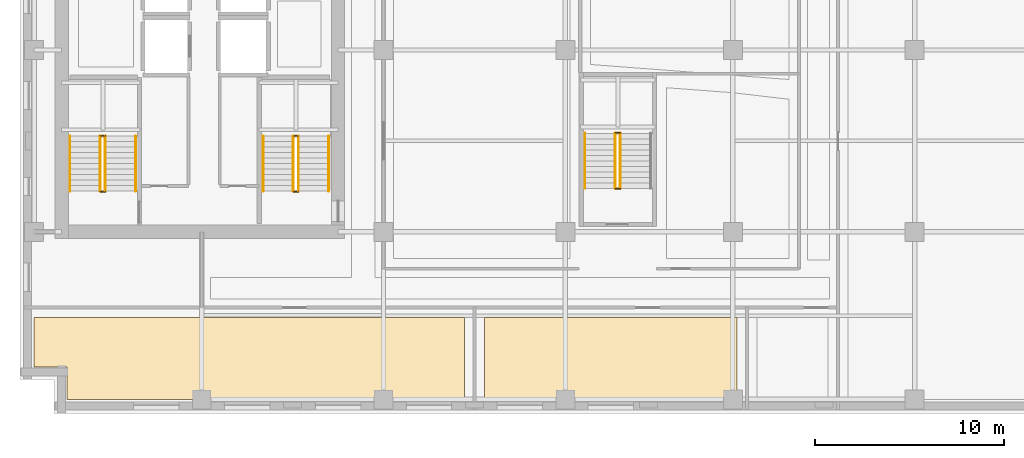
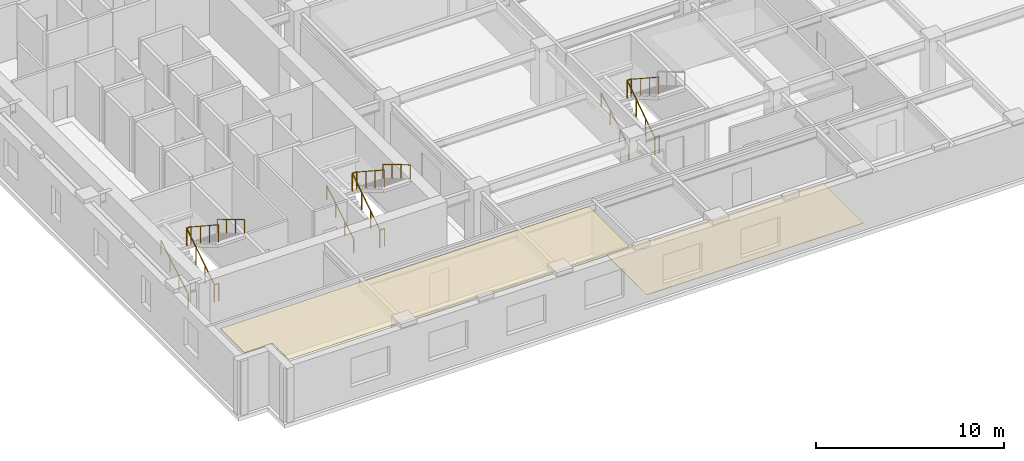
# One storey, part 9 of 13: 17 railings, 2 coverings.
"""IFC4 building model written with IfcOpenShell, lengths in metres."""

from ifc_helpers import new_model, si_unit, direction, frame, origin, origin_2d, place, context, subcontext, project, spatial, polyline, circle, outline, extrude, material, layer, layer_set, type_object, element, save


model = new_model("IFC4")

# Units and contexts
model_context = context("Model", 3, precision=1e-05, world=origin(), true_north=direction((0.0, 1.0)))
body_context = subcontext(model_context, "Body", "Model", "MODEL_VIEW")
ifc_project = project(units=[si_unit("LENGTHUNIT", "METRE"), si_unit("AREAUNIT", "SQUARE_METRE"), si_unit("VOLUMEUNIT", "CUBIC_METRE"), si_unit("PLANEANGLEUNIT", "RADIAN"), si_unit("MASSUNIT", "GRAM", prefix="KILO")], contexts=[model_context])

# Site, building, storey
site_placement = place(None, origin())
site = spatial("IfcSite", under=ifc_project, at=site_placement, CompositionType="ELEMENT")
building_placement = place(site_placement, origin())
building = spatial("IfcBuilding", under=site, at=building_placement, Name="Norrvale University Quadrangle", CompositionType="ELEMENT")
storey_placement = place(building_placement, frame((0.0, 0.0, 131.800048828125)))
storey = spatial("IfcBuildingStorey", under=building, at=storey_placement, Name="L33", CompositionType="ELEMENT", Elevation=131.800048828125)

# Coverings
ifc_material_1 = material(Name="Perforated Acoustic Mineral Ceiling")
ifc_layer_1 = layer(ifc_material_1, 0.02490234375, Name="Perforated Acoustic Mineral Ceiling")
ifc_layer_set_1 = layer_set([ifc_layer_1], Name="Perforated Acoustic Mineral Ceiling")
covering_type_1 = type_object("IfcCoveringType", Name="Covering Acoustic Ceiling 25", PredefinedType="CEILING", material=ifc_layer_set_1)
covering_1_placement = place(storey_placement, frame((0.0, 0.0, 3.514892578125)))
element("IfcCovering", 1, at=covering_1_placement, inside=storey, type_object=covering_type_1, Name="Acoustic Ceiling RM-L33-S01", PredefinedType="CEILING", context=body_context, shape_type="SweptSolid", body=[
    extrude(outline(polyline([(0.75, 5.070068359375), (23.469970703125, 5.070068359375), (23.469970703125, 0.75), (2.469970703125, 0.75), (2.469970703125, 2.469970703125), (0.75, 2.469970703125), (0.75, 5.070068359375)])), origin(), (0.0, 0.0, 1.0), 0.025146484375),
])
ifc_material_2 = material(Name="Polished Terrazzo Flooring")
ifc_layer_2 = layer(ifc_material_2, 0.02490234375, Name="Polished Terrazzo Flooring")
ifc_layer_set_2 = layer_set([ifc_layer_2], Name="Polished Terrazzo Flooring")
covering_type_2 = type_object("IfcCoveringType", Name="Covering Terrazzo Floor 30", PredefinedType="FLOORING", material=ifc_layer_set_2)
covering_2_placement = place(storey_placement, origin())
element("IfcCovering", 2, at=covering_2_placement, inside=storey, type_object=covering_type_2, Name="Terrazzo Flooring RM-L33-S02", PredefinedType="FLOORING", context=body_context, shape_type="SweptSolid", body=[
    extrude(outline(polyline([(24.530029296875, 5.070068359375), (37.8701171875, 5.070068359375), (37.8701171875, 0.75), (24.530029296875, 0.75), (24.530029296875, 5.070068359375)])), origin(), (0.0, 0.0, 1.0), 0.02490234375),
])

# Railings
ifc_material_3 = material(Name="Steel 350W Painted Balustrade", Category="steel")
railing_type_1 = type_object("IfcRailingType", Name="Railing Stair Guard 1100", PredefinedType="GUARDRAIL", material=ifc_material_3)
for number, where, name in (
    (3, (4.239990234375, 11.719970703125, 0.0), "Stair Floor Well Guard ST-01 L33"),
    (4, (4.239990234375, 14.679931640625, 1.89990234375), "Stair Mid-Landing Slot Guard ST-01 L33"),
):
    element("IfcRailing", number, at=place(storey_placement, frame(where)), inside=storey, type_object=railing_type_1, Name=name, PredefinedType="GUARDRAIL", context=body_context, shape_type="SweptSolid", body=[
        extrude(circle(Radius=0.02392578125, at=origin_2d()), frame((0.0, 0.0, 1.1259765625), z_axis=(1.0, 0.0, 0.0), x_axis=(0.0, 1.0, 0.0)), (0.0, 0.0, 1.0), 0.27001953125),
        extrude(circle(Radius=0.02099609375, at=origin_2d()), origin(), (0.0, 0.0, 1.0), 1.101806640625),
        extrude(circle(Radius=0.02099609375, at=origin_2d()), frame((0.27001953125, 0.0, 0.0)), (0.0, 0.0, 1.0), 1.101806640625),
    ])
railing_1_placement = place(storey_placement, frame((4.239990234375, 11.75, 0.0)))
element("IfcRailing", 5, at=railing_1_placement, inside=storey, type_object=railing_type_1, Name="Stair Lower Flight Inner Guard ST-01 L33", PredefinedType="GUARDRAIL", context=body_context, shape_type="SweptSolid", body=[
    extrude(circle(Radius=0.02392578125, at=origin_2d()), frame((0.0, 0.0, 1.1259765625), z_axis=(0.0, 0.836465582154, 0.548019461216), x_axis=(-1.0, 0.0, 0.0)), (0.0, 0.0, 1.0), 3.466796875),
    extrude(circle(Radius=0.02099609375, at=origin_2d()), origin(), (0.0, 0.0, 1.0), 1.101806640625),
    extrude(circle(Radius=0.02099609375, at=origin_2d()), frame((0.0, 0.966552734375, 0.63330078125)), (0.0, 0.0, 1.0), 1.101806640625),
    extrude(circle(Radius=0.02099609375, at=origin_2d()), frame((0.0, 1.933349609375, 1.2666015625)), (0.0, 0.0, 1.0), 1.101806640625),
    extrude(circle(Radius=0.02099609375, at=origin_2d()), frame((0.0, 2.89990234375, 1.89990234375)), (0.0, 0.0, 1.0), 1.101806640625),
])
railing_2_placement = place(storey_placement, frame((4.510009765625, 14.64990234375, 1.89990234375)))
element("IfcRailing", 6, at=railing_2_placement, inside=storey, type_object=railing_type_1, Name="Stair Upper Flight Inner Guard ST-01 L33", PredefinedType="GUARDRAIL", context=body_context, shape_type="SweptSolid", body=[
    extrude(circle(Radius=0.02392578125, at=origin_2d()), frame((0.0, 0.0, 1.1259765625), z_axis=(0.0, -0.836433300813, 0.548068730445), x_axis=(1.0, 0.0, 0.0)), (0.0, 0.0, 1.0), 3.467041015625),
    extrude(circle(Radius=0.02099609375, at=origin_2d()), origin(), (0.0, 0.0, 1.0), 1.101806640625),
    extrude(circle(Radius=0.02099609375, at=origin_2d()), frame((0.0, -0.966552734375, 0.63330078125)), (0.0, 0.0, 1.0), 1.101806640625),
    extrude(circle(Radius=0.02099609375, at=origin_2d()), frame((0.0, -1.933349609375, 1.266845703125)), (0.0, 0.0, 1.0), 1.101806640625),
    extrude(circle(Radius=0.02099609375, at=origin_2d()), frame((0.0, -2.89990234375, 1.900146484375)), (0.0, 0.0, 1.0), 1.101806640625),
])
for number, where, name in (
    (7, (14.43994140625, 11.719970703125, 0.0), "Stair Floor Well Guard ST-03 L33"),
    (8, (14.43994140625, 14.679931640625, 1.89990234375), "Stair Mid-Landing Slot Guard ST-03 L33"),
):
    element("IfcRailing", number, at=place(storey_placement, frame(where)), inside=storey, type_object=railing_type_1, Name=name, PredefinedType="GUARDRAIL", context=body_context, shape_type="SweptSolid", body=[
        extrude(circle(Radius=0.02392578125, at=origin_2d()), frame((0.0, 0.0, 1.1259765625), z_axis=(1.0, 0.0, 0.0), x_axis=(0.0, 1.0, 0.0)), (0.0, 0.0, 1.0), 0.27001953125),
        extrude(circle(Radius=0.02099609375, at=origin_2d()), origin(), (0.0, 0.0, 1.0), 1.101806640625),
        extrude(circle(Radius=0.02099609375, at=origin_2d()), frame((0.27001953125, 0.0, 0.0)), (0.0, 0.0, 1.0), 1.101806640625),
    ])
railing_3_placement = place(storey_placement, frame((14.43994140625, 11.75, 0.0)))
element("IfcRailing", 9, at=railing_3_placement, inside=storey, type_object=railing_type_1, Name="Stair Lower Flight Inner Guard ST-03 L33", PredefinedType="GUARDRAIL", context=body_context, shape_type="SweptSolid", body=[
    extrude(circle(Radius=0.02392578125, at=origin_2d()), frame((0.0, 0.0, 1.1259765625), z_axis=(0.0, 0.836465582154, 0.548019461216), x_axis=(-1.0, 0.0, 0.0)), (0.0, 0.0, 1.0), 3.466796875),
    extrude(circle(Radius=0.02099609375, at=origin_2d()), origin(), (0.0, 0.0, 1.0), 1.101806640625),
    extrude(circle(Radius=0.02099609375, at=origin_2d()), frame((0.0, 0.966552734375, 0.63330078125)), (0.0, 0.0, 1.0), 1.101806640625),
    extrude(circle(Radius=0.02099609375, at=origin_2d()), frame((0.0, 1.933349609375, 1.2666015625)), (0.0, 0.0, 1.0), 1.101806640625),
    extrude(circle(Radius=0.02099609375, at=origin_2d()), frame((0.0, 2.89990234375, 1.89990234375)), (0.0, 0.0, 1.0), 1.101806640625),
])
railing_4_placement = place(storey_placement, frame((14.7099609375, 14.64990234375, 1.89990234375)))
element("IfcRailing", 10, at=railing_4_placement, inside=storey, type_object=railing_type_1, Name="Stair Upper Flight Inner Guard ST-03 L33", PredefinedType="GUARDRAIL", context=body_context, shape_type="SweptSolid", body=[
    extrude(circle(Radius=0.02392578125, at=origin_2d()), frame((0.0, 0.0, 1.1259765625), z_axis=(0.0, -0.836433300813, 0.548068730445), x_axis=(1.0, 0.0, 0.0)), (0.0, 0.0, 1.0), 3.467041015625),
    extrude(circle(Radius=0.02099609375, at=origin_2d()), origin(), (0.0, 0.0, 1.0), 1.101806640625),
    extrude(circle(Radius=0.02099609375, at=origin_2d()), frame((0.0, -0.966552734375, 0.63330078125)), (0.0, 0.0, 1.0), 1.101806640625),
    extrude(circle(Radius=0.02099609375, at=origin_2d()), frame((0.0, -1.933349609375, 1.266845703125)), (0.0, 0.0, 1.0), 1.101806640625),
    extrude(circle(Radius=0.02099609375, at=origin_2d()), frame((0.0, -2.89990234375, 1.900146484375)), (0.0, 0.0, 1.0), 1.101806640625),
])
for number, where, name in (
    (11, (31.43994140625, 11.8701171875, 0.0), "Stair Floor Well Guard ST-04 L33"),
    (12, (31.43994140625, 14.830078125, 1.89990234375), "Stair Mid-Landing Slot Guard ST-04 L33"),
):
    element("IfcRailing", number, at=place(storey_placement, frame(where)), inside=storey, type_object=railing_type_1, Name=name, PredefinedType="GUARDRAIL", context=body_context, shape_type="SweptSolid", body=[
        extrude(circle(Radius=0.02392578125, at=origin_2d()), frame((0.0, 0.0, 1.1259765625), z_axis=(1.0, 0.0, 0.0), x_axis=(0.0, 1.0, 0.0)), (0.0, 0.0, 1.0), 0.27001953125),
        extrude(circle(Radius=0.02099609375, at=origin_2d()), origin(), (0.0, 0.0, 1.0), 1.101806640625),
        extrude(circle(Radius=0.02099609375, at=origin_2d()), frame((0.27001953125, 0.0, 0.0)), (0.0, 0.0, 1.0), 1.101806640625),
    ])
railing_5_placement = place(storey_placement, frame((31.43994140625, 11.89990234375, 0.0)))
element("IfcRailing", 13, at=railing_5_placement, inside=storey, type_object=railing_type_1, Name="Stair Lower Flight Inner Guard ST-04 L33", PredefinedType="GUARDRAIL", context=body_context, shape_type="SweptSolid", body=[
    extrude(circle(Radius=0.02392578125, at=origin_2d()), frame((0.0, 0.0, 1.1259765625), z_axis=(0.0, 0.836486729621, 0.547987181573), x_axis=(-1.0, 0.0, 0.0)), (0.0, 0.0, 1.0), 3.467041015625),
    extrude(circle(Radius=0.02099609375, at=origin_2d()), origin(), (0.0, 0.0, 1.0), 1.101806640625),
    extrude(circle(Radius=0.02099609375, at=origin_2d()), frame((0.0, 0.966796875, 0.63330078125)), (0.0, 0.0, 1.0), 1.101806640625),
    extrude(circle(Radius=0.02099609375, at=origin_2d()), frame((0.0, 1.933349609375, 1.2666015625)), (0.0, 0.0, 1.0), 1.101806640625),
    extrude(circle(Radius=0.02099609375, at=origin_2d()), frame((0.0, 2.900146484375, 1.89990234375)), (0.0, 0.0, 1.0), 1.101806640625),
])
railing_6_placement = place(storey_placement, frame((31.7099609375, 14.800048828125, 1.89990234375)))
element("IfcRailing", 14, at=railing_6_placement, inside=storey, type_object=railing_type_1, Name="Stair Upper Flight Inner Guard ST-04 L33", PredefinedType="GUARDRAIL", context=body_context, shape_type="SweptSolid", body=[
    extrude(circle(Radius=0.02392578125, at=origin_2d()), frame((0.0, 0.0, 1.1259765625), z_axis=(0.0, -0.836454451266, 0.548036450392), x_axis=(1.0, 0.0, 0.0)), (0.0, 0.0, 1.0), 3.46728515625),
    extrude(circle(Radius=0.02099609375, at=origin_2d()), origin(), (0.0, 0.0, 1.0), 1.101806640625),
    extrude(circle(Radius=0.02099609375, at=origin_2d()), frame((0.0, -0.966796875, 0.63330078125)), (0.0, 0.0, 1.0), 1.101806640625),
    extrude(circle(Radius=0.02099609375, at=origin_2d()), frame((0.0, -1.933349609375, 1.266845703125)), (0.0, 0.0, 1.0), 1.101806640625),
    extrude(circle(Radius=0.02099609375, at=origin_2d()), frame((0.0, -2.900146484375, 1.900146484375)), (0.0, 0.0, 1.0), 1.101806640625),
])
ifc_material_4 = material(Name="Stainless Steel 316L Handrail", Category="steel")
railing_type_2 = type_object("IfcRailingType", Name="Railing Stair Handrail 920", PredefinedType="HANDRAIL", material=ifc_material_4)
railing_7_placement = place(storey_placement, frame((2.639892578125, 11.75, 0.172607421875)))
element("IfcRailing", 15, at=railing_7_placement, inside=storey, type_object=railing_type_2, Name="Stair Lower Flight Handrail ST-01 L33", PredefinedType="HANDRAIL", context=body_context, shape_type="SweptSolid", body=[
    extrude(circle(Radius=0.02392578125, at=origin_2d()), frame((0.0, 0.0, 0.89599609375), z_axis=(0.0, 0.859141464434, 0.511738159696), x_axis=(-1.0, 0.0, 0.0)), (0.0, 0.0, 1.0), 3.375244140625),
    extrude(circle(Radius=0.02099609375, at=origin_2d()), origin(), (0.0, 0.0, 1.0), 0.871826171875),
    extrude(circle(Radius=0.02099609375, at=origin_2d()), frame((0.0, 0.966552734375, 0.57568359375)), (0.0, 0.0, 1.0), 0.871826171875),
    extrude(circle(Radius=0.02099609375, at=origin_2d()), frame((0.0, 1.933349609375, 1.151611328125)), (0.0, 0.0, 1.0), 0.871826171875),
    extrude(circle(Radius=0.02099609375, at=origin_2d()), frame((0.0, 2.89990234375, 1.727294921875)), (0.0, 0.0, 1.0), 0.871826171875),
])
railing_8_placement = place(storey_placement, frame((6.110107421875, 14.64990234375, 2.07275390625)))
element("IfcRailing", 16, at=railing_8_placement, inside=storey, type_object=railing_type_2, Name="Stair Upper Flight Handrail ST-01 L33", PredefinedType="HANDRAIL", context=body_context, shape_type="SweptSolid", body=[
    extrude(circle(Radius=0.02392578125, at=origin_2d()), frame((0.0, 0.0, 0.89599609375), z_axis=(0.0, -0.859141464434, 0.511738159696), x_axis=(1.0, 0.0, 0.0)), (0.0, 0.0, 1.0), 3.375244140625),
    extrude(circle(Radius=0.02099609375, at=origin_2d()), origin(), (0.0, 0.0, 1.0), 0.871826171875),
    extrude(circle(Radius=0.02099609375, at=origin_2d()), frame((0.0, -0.966552734375, 0.57568359375)), (0.0, 0.0, 1.0), 0.871826171875),
    extrude(circle(Radius=0.02099609375, at=origin_2d()), frame((0.0, -1.933349609375, 1.151611328125)), (0.0, 0.0, 1.0), 0.871826171875),
    extrude(circle(Radius=0.02099609375, at=origin_2d()), frame((0.0, -2.89990234375, 1.727294921875)), (0.0, 0.0, 1.0), 0.871826171875),
])
railing_9_placement = place(storey_placement, frame((12.840087890625, 11.75, 0.172607421875)))
element("IfcRailing", 17, at=railing_9_placement, inside=storey, type_object=railing_type_2, Name="Stair Lower Flight Handrail ST-03 L33", PredefinedType="HANDRAIL", context=body_context, shape_type="SweptSolid", body=[
    extrude(circle(Radius=0.02392578125, at=origin_2d()), frame((0.0, 0.0, 0.89599609375), z_axis=(0.0, 0.859141464434, 0.511738159696), x_axis=(-1.0, 0.0, 0.0)), (0.0, 0.0, 1.0), 3.375244140625),
    extrude(circle(Radius=0.02099609375, at=origin_2d()), origin(), (0.0, 0.0, 1.0), 0.871826171875),
    extrude(circle(Radius=0.02099609375, at=origin_2d()), frame((0.0, 0.966552734375, 0.57568359375)), (0.0, 0.0, 1.0), 0.871826171875),
    extrude(circle(Radius=0.02099609375, at=origin_2d()), frame((0.0, 1.933349609375, 1.151611328125)), (0.0, 0.0, 1.0), 0.871826171875),
    extrude(circle(Radius=0.02099609375, at=origin_2d()), frame((0.0, 2.89990234375, 1.727294921875)), (0.0, 0.0, 1.0), 0.871826171875),
])
railing_10_placement = place(storey_placement, frame((16.31005859375, 14.64990234375, 2.07275390625)))
element("IfcRailing", 18, at=railing_10_placement, inside=storey, type_object=railing_type_2, Name="Stair Upper Flight Handrail ST-03 L33", PredefinedType="HANDRAIL", context=body_context, shape_type="SweptSolid", body=[
    extrude(circle(Radius=0.02392578125, at=origin_2d()), frame((0.0, 0.0, 0.89599609375), z_axis=(0.0, -0.859141464434, 0.511738159696), x_axis=(1.0, 0.0, 0.0)), (0.0, 0.0, 1.0), 3.375244140625),
    extrude(circle(Radius=0.02099609375, at=origin_2d()), origin(), (0.0, 0.0, 1.0), 0.871826171875),
    extrude(circle(Radius=0.02099609375, at=origin_2d()), frame((0.0, -0.966552734375, 0.57568359375)), (0.0, 0.0, 1.0), 0.871826171875),
    extrude(circle(Radius=0.02099609375, at=origin_2d()), frame((0.0, -1.933349609375, 1.151611328125)), (0.0, 0.0, 1.0), 0.871826171875),
    extrude(circle(Radius=0.02099609375, at=origin_2d()), frame((0.0, -2.89990234375, 1.727294921875)), (0.0, 0.0, 1.0), 0.871826171875),
])
railing_11_placement = place(storey_placement, frame((29.840087890625, 11.89990234375, 0.172607421875)))
element("IfcRailing", 19, at=railing_11_placement, inside=storey, type_object=railing_type_2, Name="Stair Lower Flight Handrail ST-04 L33", PredefinedType="HANDRAIL", context=body_context, shape_type="SweptSolid", body=[
    extrude(circle(Radius=0.02392578125, at=origin_2d()), frame((0.0, 0.0, 0.89599609375), z_axis=(0.0, 0.859160404282, 0.51170636083), x_axis=(-1.0, 0.0, 0.0)), (0.0, 0.0, 1.0), 3.37548828125),
    extrude(circle(Radius=0.02099609375, at=origin_2d()), origin(), (0.0, 0.0, 1.0), 0.871826171875),
    extrude(circle(Radius=0.02099609375, at=origin_2d()), frame((0.0, 0.966796875, 0.57568359375)), (0.0, 0.0, 1.0), 0.871826171875),
    extrude(circle(Radius=0.02099609375, at=origin_2d()), frame((0.0, 1.933349609375, 1.151611328125)), (0.0, 0.0, 1.0), 0.871826171875),
    extrude(circle(Radius=0.02099609375, at=origin_2d()), frame((0.0, 2.900146484375, 1.727294921875)), (0.0, 0.0, 1.0), 0.871826171875),
])

save(model, "model.ifc")
